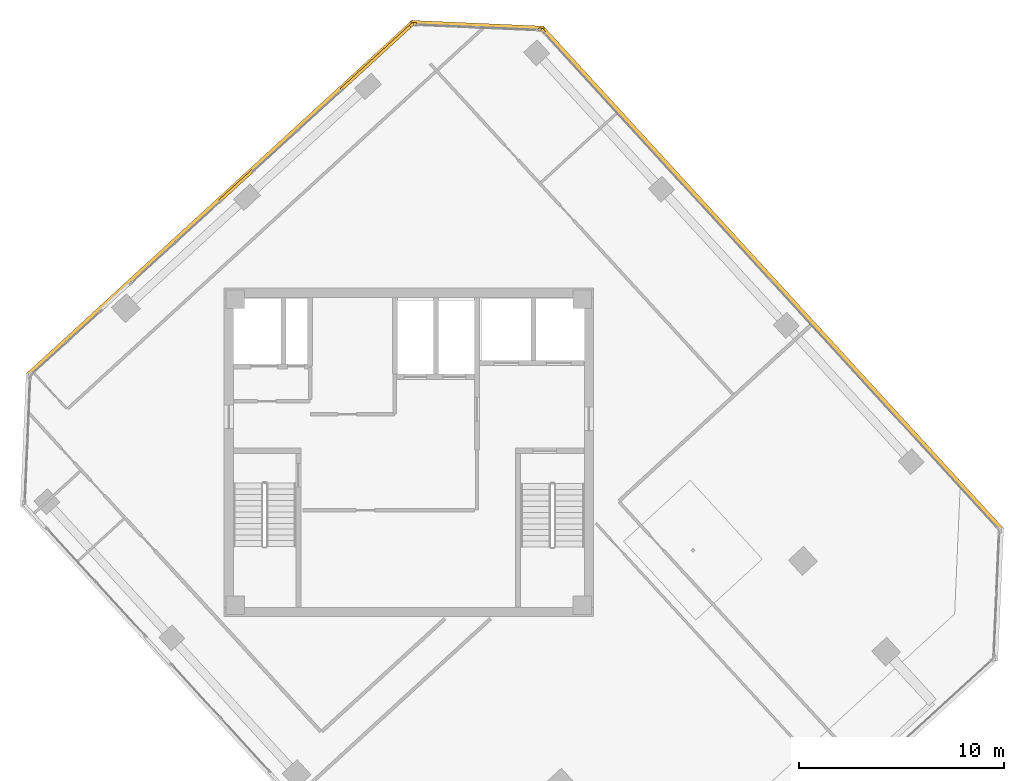
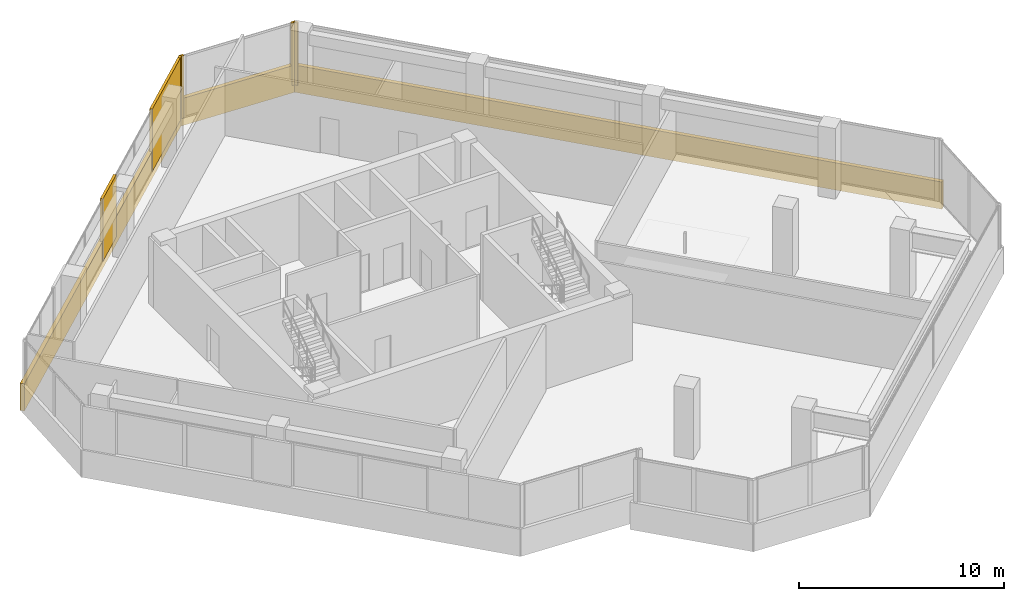
# One storey, part 18 of 18: 9 coverings.
"""IFC4 building model written with IfcOpenShell, lengths in metres."""

from ifc_helpers import new_model, si_unit, direction, frame, origin, origin_2d, place, context, subcontext, project, spatial, rectangle, extrude, source, transform, mapped, material, layer, layer_set, type_object, element, save


model = new_model("IFC4")

# Units and contexts
model_context = context("Model", 3, precision=1e-05, world=origin(), true_north=direction((0.0, 1.0)))
body_context = subcontext(model_context, "Body", "Model", "MODEL_VIEW")
ifc_project = project(units=[si_unit("LENGTHUNIT", "METRE"), si_unit("AREAUNIT", "SQUARE_METRE"), si_unit("VOLUMEUNIT", "CUBIC_METRE"), si_unit("PLANEANGLEUNIT", "RADIAN"), si_unit("MASSUNIT", "GRAM", prefix="KILO")], contexts=[model_context])

# Site, building, storey
site_placement = place(None, origin())
site = spatial("IfcSite", under=ifc_project, at=site_placement, CompositionType="ELEMENT")
building_placement = place(site_placement, origin())
building = spatial("IfcBuilding", under=site, at=building_placement, Name="Torre Montelarca", CompositionType="ELEMENT")
storey_placement = place(building_placement, frame((0.0, 0.0, 258.39990234375)))
storey = spatial("IfcBuildingStorey", under=building, at=storey_placement, Name="L58", CompositionType="ELEMENT", Elevation=258.39990234375)

# Coverings
ifc_material = material(Name="Bush-hammered warm white precast concrete C45/55", Category="concrete")
ifc_layer = layer(ifc_material, 0.139892578125, Name="Bush-hammered warm white precast concrete C45/55", Category="concrete")
ifc_layer_set = layer_set([ifc_layer], Name="Bush-hammered warm white precast concrete C45/55")
covering_type = type_object("IfcCoveringType", Name="COV-TRAY-CLAD", PredefinedType="CLADDING", material=ifc_layer_set)
shared_shape_1 = source(origin(), body_context, "Body", "SweptSolid", [
    extrude(rectangle(XDim=6.48388671875, YDim=0.219970703125, at=origin_2d()), origin(), (0.0, 0.0, 1.0), 1.6201171875),
])
covering_1_placement = place(storey_placement, frame((21.345703125, 52.785400390625, -0.449951171875), z_axis=(0.0, 0.0, 1.0), x_axis=(-0.99904814545, 0.043621131033, 0.0)))
element("IfcCovering", 1, at=covering_1_placement, inside=storey, type_object=covering_type, Name="L58 Architectural White Spandrel Tray Band TRYBOT-09", PredefinedType="CLADDING", context=body_context, shape_type="MappedRepresentation", body=[
    mapped(shared_shape_1, transform((0.0, 0.0, 0.0), scale=1.0)),
])
shared_shape_2 = source(origin(), body_context, "Body", "SweptSolid", [
    extrude(rectangle(XDim=25.52001953125, YDim=0.219970703125, at=origin_2d()), origin(), (0.0, 0.0, 1.0), 1.6201171875),
])
covering_2_placement = place(storey_placement, frame((8.8251953125, 44.35205078125, -0.449951171875), z_axis=(0.0, 0.0, 1.0), x_axis=(-0.737276157682, -0.675591494406, 0.0)))
element("IfcCovering", 2, at=covering_2_placement, inside=storey, type_object=covering_type, Name="L58 Architectural White Spandrel Tray Band TRYBOT-10", PredefinedType="CLADDING", context=body_context, shape_type="MappedRepresentation", body=[
    mapped(shared_shape_2, transform((0.0, 0.0, 0.0), scale=1.0)),
])
shared_shape_3 = source(origin(), body_context, "Body", "SweptSolid", [
    extrude(rectangle(XDim=0.199951171875, YDim=0.139892578125, at=origin_2d()), origin(), (0.0, 0.0, 1.0), 3.719970703125),
])
for number, where, z_axis, x_axis, name in (
    (3, (24.5380859375, 52.530517578125, 0.0), (0.0, 0.0, 1.0), (-0.675588920823, 0.737278515936, 0.0), "L58 Architectural Column Pier Cladding E08-2"),
    (4, (24.406494140625, 52.591796875, 0.0), (0.0, 0.0, 1.0), (-0.999047840893, 0.043628105704, 0.0), "L58 Architectural Column Pier Cladding E09-1"),
    (5, (18.280029296875, 52.859375, 0.0), (0.0, 0.0, 1.0), (-0.999047840893, 0.043628105704, 0.0), "L58 Architectural Column Pier Cladding E09-2"),
    (6, (18.1435546875, 52.8095703125, 0.0), (0.0, 0.0, 1.0), (-0.737276157682, -0.675591494406, 0.0), "L58 Architectural Column Pier Cladding E10-1"),
):
    element("IfcCovering", number, at=place(storey_placement, frame(where, z_axis=z_axis, x_axis=x_axis)), inside=storey, type_object=covering_type, Name=name, PredefinedType="CLADDING", context=body_context, shape_type="MappedRepresentation", body=[
        mapped(shared_shape_3, transform((0.0, 0.0, 0.0), scale=1.0)),
    ])
shared_shape_4 = source(origin(), body_context, "Body", "SweptSolid", [
    extrude(rectangle(XDim=33.219970703125, YDim=0.219970703125, at=origin_2d()), origin(), (0.0, 0.0, 1.0), 1.6201171875),
])
covering_3_placement = place(storey_placement, frame((35.68505859375, 40.454345703125, -0.449951171875), z_axis=(0.0, 0.0, 1.0), x_axis=(-0.675588920823, 0.737278515936, 0.0)))
element("IfcCovering", 7, at=covering_3_placement, inside=storey, type_object=covering_type, Name="L58 Architectural White Spandrel Tray Band TRYBOT-08", PredefinedType="CLADDING", context=body_context, shape_type="MappedRepresentation", body=[
    mapped(shared_shape_4, transform((0.0, 0.0, 0.0), scale=1.0)),
])
shared_shape_5 = source(origin(), body_context, "Body", "SweptSolid", [
    extrude(rectangle(XDim=4.664306640625, YDim=0.139892578125, at=origin_2d()), origin(), (0.0, 0.0, 1.0), 3.719970703125),
])
covering_4_placement = place(storey_placement, frame((16.42431640625, 51.234130859375, 0.0), z_axis=(0.0, 0.0, 1.0), x_axis=(-0.737276157682, -0.675591494406, 0.0)))
element("IfcCovering", 8, at=covering_4_placement, inside=storey, type_object=covering_type, Name="L58 Architectural Column Pier Cladding E10-2", PredefinedType="CLADDING", context=body_context, shape_type="MappedRepresentation", body=[
    mapped(shared_shape_5, transform((0.0, 0.0, 0.0), scale=1.0)),
])
shared_shape_6 = source(origin(), body_context, "Body", "SweptSolid", [
    extrude(rectangle(XDim=2.159912109375, YDim=0.139892578125, at=origin_2d()), origin(), (0.0, 0.0, 1.0), 3.719970703125),
])
covering_5_placement = place(storey_placement, frame((9.602783203125, 44.9833984375, 0.0), z_axis=(0.0, 0.0, 1.0), x_axis=(-0.737276157682, -0.675591494406, 0.0)))
element("IfcCovering", 9, at=covering_5_placement, inside=storey, type_object=covering_type, Name="L58 Architectural Column Pier Cladding E10-3", PredefinedType="CLADDING", context=body_context, shape_type="MappedRepresentation", body=[
    mapped(shared_shape_6, transform((0.0, 0.0, 0.0), scale=1.0)),
])

save(model, "model.ifc")
